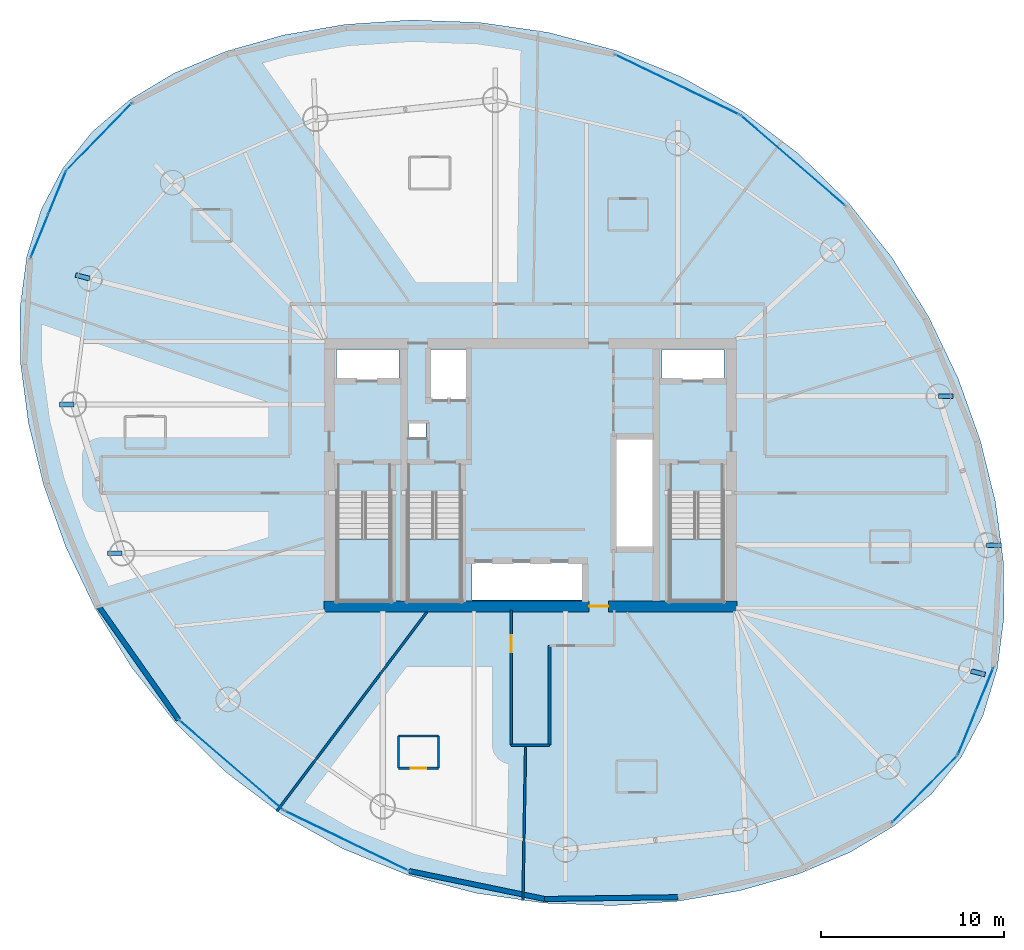
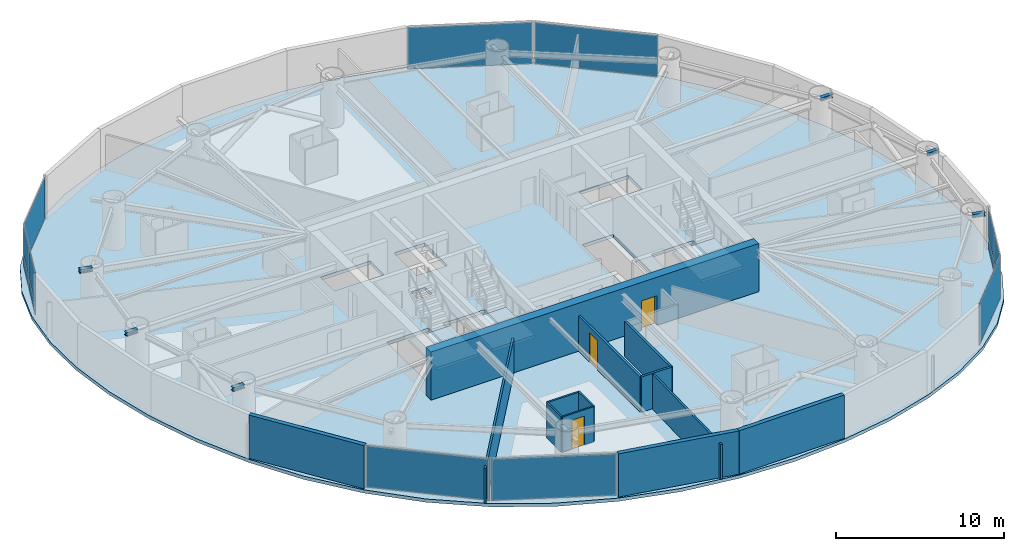
# One storey, part 15 of 21: 14 plates, 13 walls, 6 beams, 4 slabs, 3 doors, 3 openings, 11 elements without a shape of their own.
"""IFC4 building model written with IfcOpenShell, lengths in metres."""

from ifc_helpers import new_model, si_unit, direction, frame, frame_2d, origin, origin_2d, place, context, subcontext, project, spatial, polyline, rectangle, i_section, outline, extrude, material, layer, layer_set, material_profile, profile_set, type_object, element, fill, aggregate, save


model = new_model("IFC4")

# Units and contexts
model_context = context("Model", 3, precision=1e-05, world=origin(), true_north=direction((0.0, 1.0)))
body_context = subcontext(model_context, "Body", "Model", "MODEL_VIEW")
ifc_project = project(units=[si_unit("LENGTHUNIT", "METRE"), si_unit("AREAUNIT", "SQUARE_METRE"), si_unit("VOLUMEUNIT", "CUBIC_METRE"), si_unit("PLANEANGLEUNIT", "RADIAN"), si_unit("MASSUNIT", "GRAM", prefix="KILO")], contexts=[model_context])

# Site, building, storey
site_placement = place(None, origin())
site = spatial("IfcSite", under=ifc_project, at=site_placement, CompositionType="ELEMENT")
building_placement = place(site_placement, origin())
building = spatial("IfcBuilding", under=site, at=building_placement, Name="Bramvorn Convention Spire", CompositionType="ELEMENT")
storey_placement = place(building_placement, frame((0.0, 0.0, 162.300048828125)))
storey = spatial("IfcBuildingStorey", under=building, at=storey_placement, Name="L41", CompositionType="ELEMENT", Elevation=162.300048828125)

# Beams
ifc_material_1 = material(Name="Steel CSA G40.21 Grade 350 (350W)", Category="steel")
ifc_material_profile = material_profile(ifc_material_1, i_section(OverallWidth=0.25390625, OverallDepth=0.2529296875, WebThickness=0.008544921875, FlangeThickness=0.01416015625, FilletRadius=0.011962890625, at=origin_2d()))
ifc_profile_set = profile_set([ifc_material_profile], Name="Steel CSA G40.21 Grade 350 (350W) - W250X73")
beam_type = type_object("IfcBeamType", Name="BM-W250X73", PredefinedType="BEAM", material=ifc_profile_set)
beam_1_placement = place(storey_placement, frame((62.11767578125, 15.26220703125, 3.0234375), z_axis=(0.968872548722, -0.247560062071, 0.0), x_axis=(0.247560062071, 0.968872548722, 0.0)))
element("IfcBeam", 1, at=beam_1_placement, inside=storey, type_object=beam_type, Name="L41 slab-edge cantilever tip beam MC01", PredefinedType="BEAM", context=body_context, shape_type="SweptSolid", body=[
    extrude(i_section(OverallWidth=0.25390625, OverallDepth=0.2529296875, WebThickness=0.008544921875, FlangeThickness=0.01416015625, FilletRadius=0.011962890625, at=origin_2d()), origin(), (0.0, 0.0, 1.0), 0.7998046875),
])
for number, where, z_axis, x_axis, name in (
    (2, (62.983642578125, 22.148193359375, 3.0234375), (1.0, 0.0, 0.0), (0.0, 1.0, 0.0), "L41 slab-edge cantilever tip beam MC02"),
    (3, (60.345703125, 30.293212890625, 3.0234375), (1.0, 0.0, 0.0), (0.0, 1.0, 0.0), "L41 slab-edge cantilever tip beam MC03"),
):
    element("IfcBeam", number, at=place(storey_placement, frame(where, z_axis=z_axis, x_axis=x_axis)), inside=storey, type_object=beam_type, Name=name, PredefinedType="BEAM", context=body_context, shape_type="SweptSolid", body=[
        extrude(i_section(OverallWidth=0.25390625, OverallDepth=0.2529296875, WebThickness=0.008544921875, FlangeThickness=0.01416015625, FilletRadius=0.011962890625, at=origin_2d()), origin(), (0.0, 0.0, 1.0), 0.800048828125),
    ])
beam_2_placement = place(storey_placement, frame((13.88232421875, 36.73779296875, 3.0234375), z_axis=(-0.968872548722, 0.247560062071, 0.0), x_axis=(-0.247560062071, -0.968872548722, 0.0)))
element("IfcBeam", 4, at=beam_2_placement, inside=storey, type_object=beam_type, Name="L41 slab-edge cantilever tip beam MC09", PredefinedType="BEAM", context=body_context, shape_type="SweptSolid", body=[
    extrude(i_section(OverallWidth=0.25390625, OverallDepth=0.2529296875, WebThickness=0.008544921875, FlangeThickness=0.01416015625, FilletRadius=0.011962890625, at=origin_2d()), origin(), (0.0, 0.0, 1.0), 0.7998046875),
])
for number, where, z_axis, x_axis, name in (
    (5, (13.016357421875, 29.851806640625, 3.0234375), (-1.0, 0.0, 0.0), (0.0, -1.0, 0.0), "L41 slab-edge cantilever tip beam MC10"),
    (6, (15.654296875, 21.706787109375, 3.0234375), (-1.0, 0.0, 0.0), (0.0, -1.0, 0.0), "L41 slab-edge cantilever tip beam MC11"),
):
    element("IfcBeam", number, at=place(storey_placement, frame(where, z_axis=z_axis, x_axis=x_axis)), inside=storey, type_object=beam_type, Name=name, PredefinedType="BEAM", context=body_context, shape_type="SweptSolid", body=[
        extrude(i_section(OverallWidth=0.25390625, OverallDepth=0.2529296875, WebThickness=0.008544921875, FlangeThickness=0.01416015625, FilletRadius=0.011962890625, at=origin_2d()), origin(), (0.0, 0.0, 1.0), 0.800048828125),
    ])

# Curtain wall, plates
ifc_material_2 = material(Name="Anodised Bronze Unitised Curtain Wall", Category="aluminium")
ifc_layer_1 = layer(ifc_material_2, 0.179931640625)
ifc_layer_set_1 = layer_set([ifc_layer_1], Name="Anodised Bronze Unitised Curtain Wall - CW-HTL-FRIT")
curtain_wall_type = type_object("IfcCurtainWallType", Name="CW-HTL-FRIT", PredefinedType="USERDEFINED", material=ifc_layer_set_1)
curtain_wall_1_placement = place(storey_placement, origin())
curtain_wall_1 = element("IfcCurtainWall", 7, at=curtain_wall_1_placement, inside=storey, type_object=curtain_wall_type, Name="L41 fritted glass curtain wall 01", ObjectType="UNITISED CURTAIN WALL", PredefinedType="USERDEFINED")
ifc_material_3 = material(Name="Laminated Low-E Glass (Triple IGU Tapered Ceramic Frit 40%)", Category="glass")
ifc_layer_2 = layer(ifc_material_3, 0.0380859375)
ifc_layer_set_2 = layer_set([ifc_layer_2], Name="Laminated Low-E Glass (Triple IGU Tapered Ceramic Frit 40%) - PNL-IGU-2")
plate_type = type_object("IfcPlateType", Name="PNL-IGU-2", PredefinedType="CURTAIN_PANEL", material=ifc_layer_set_2)
plate_1_placement = place(storey_placement, frame((62.858154296875, 14.23876953125, 0.059814453125), z_axis=(0.0, 0.0, 1.0), x_axis=(-0.377384058493, -0.926056840802, 0.0)))
plate_1 = element("IfcPlate", 8, at=plate_1_placement, type_object=plate_type, Name="CW2 panel 1.1", PredefinedType="CURTAIN_PANEL", context=body_context, shape_type="SweptSolid", body=[
    extrude(rectangle(XDim=2.4970703125, YDim=0.028076171875, at=origin_2d()), origin(), (0.0, 0.0, 1.0), 0.81005859375),
])
plate_2_placement = place(storey_placement, frame((62.858154296875, 14.23876953125, 0.93017578125), z_axis=(0.0, 0.0, 1.0), x_axis=(-0.377384058493, -0.926056840802, 0.0)))
plate_2 = element("IfcPlate", 9, at=plate_2_placement, type_object=plate_type, Name="CW2 panel 1.2", PredefinedType="CURTAIN_PANEL", context=body_context, shape_type="SweptSolid", body=[
    extrude(rectangle(XDim=2.4970703125, YDim=0.028076171875, at=origin_2d()), origin(), (0.0, 0.0, 1.0), 2.159912109375),
])
plate_3_placement = place(storey_placement, frame((61.89306640625, 11.87060546875, 0.059814453125), z_axis=(0.0, 0.0, 1.0), x_axis=(-0.377384058493, -0.926056840802, 0.0)))
plate_3 = element("IfcPlate", 10, at=plate_3_placement, type_object=plate_type, Name="CW2 panel 2.1", PredefinedType="CURTAIN_PANEL", context=body_context, shape_type="SweptSolid", body=[
    extrude(rectangle(XDim=2.4970703125, YDim=0.028076171875, at=origin_2d()), origin(), (0.0, 0.0, 1.0), 0.81005859375),
])
plate_4_placement = place(storey_placement, frame((61.89306640625, 11.87060546875, 0.93017578125), z_axis=(0.0, 0.0, 1.0), x_axis=(-0.377384058493, -0.926056840802, 0.0)))
plate_4 = element("IfcPlate", 11, at=plate_4_placement, type_object=plate_type, Name="CW2 panel 2.2", PredefinedType="CURTAIN_PANEL", context=body_context, shape_type="SweptSolid", body=[
    extrude(rectangle(XDim=2.4970703125, YDim=0.028076171875, at=origin_2d()), origin(), (0.0, 0.0, 1.0), 2.159912109375),
])
aggregate(curtain_wall_1, [plate_1, plate_2, plate_3, plate_4])

# Curtain wall, plate
curtain_wall_2_placement = place(storey_placement, origin())
curtain_wall_2 = element("IfcCurtainWall", 12, at=curtain_wall_2_placement, inside=storey, type_object=curtain_wall_type, Name="L41 fritted glass curtain wall 06", ObjectType="UNITISED CURTAIN WALL", PredefinedType="USERDEFINED")
plate_5_placement = place(storey_placement, frame((52.364501953125, 43.211181640625, 0.06005859375), z_axis=(0.0, 0.0, 1.0), x_axis=(0.757586119148, -0.652735223559, 0.0)))
plate_5 = element("IfcPlate", 13, at=plate_5_placement, type_object=plate_type, Name="CW2 panel 1.1", PredefinedType="CURTAIN_PANEL", context=body_context, shape_type="SweptSolid", body=[
    extrude(rectangle(XDim=7.49755859375, YDim=0.028076171875, at=origin_2d()), origin(), (0.0, 0.0, 1.0), 3.030029296875),
])
aggregate(curtain_wall_2, [plate_5])

curtain_wall_3_placement = place(storey_placement, origin())
curtain_wall_3 = element("IfcCurtainWall", 14, at=curtain_wall_3_placement, inside=storey, type_object=curtain_wall_type, Name="L41 fritted glass curtain wall 07", ObjectType="UNITISED CURTAIN WALL", PredefinedType="USERDEFINED")
plate_6_placement = place(storey_placement, frame((46.048583984375, 47.35205078125, 0.06005859375), z_axis=(0.0, 0.0, 1.0), x_axis=(0.900683100724, -0.434476641571, 0.0)))
plate_6 = element("IfcPlate", 15, at=plate_6_placement, type_object=plate_type, Name="CW2 panel 1.1", PredefinedType="CURTAIN_PANEL", context=body_context, shape_type="SweptSolid", body=[
    extrude(rectangle(XDim=7.49755859375, YDim=0.028076171875, at=origin_2d()), origin(), (0.0, 0.0, 1.0), 3.030029296875),
])
aggregate(curtain_wall_3, [plate_6])

curtain_wall_4_placement = place(storey_placement, origin())
curtain_wall_4 = element("IfcCurtainWall", 16, at=curtain_wall_4_placement, inside=storey, type_object=curtain_wall_type, Name="L41 fritted glass curtain wall 12", ObjectType="UNITISED CURTAIN WALL", PredefinedType="USERDEFINED")
plate_7_placement = place(storey_placement, frame((14.4013671875, 44.5078125, 0.06005859375), z_axis=(0.0, 0.0, 1.0), x_axis=(0.698767354166, 0.715348995073, 0.0)))
plate_7 = element("IfcPlate", 17, at=plate_7_placement, type_object=plate_type, Name="CW2 panel 1.1", PredefinedType="CURTAIN_PANEL", context=body_context, shape_type="SweptSolid", body=[
    extrude(rectangle(XDim=5.054443359375, YDim=0.028076171875, at=origin_2d()), origin(), (0.0, 0.0, 1.0), 3.030029296875),
])
aggregate(curtain_wall_4, [plate_7])

# Curtain wall, plates
curtain_wall_5_placement = place(storey_placement, origin())
curtain_wall_5 = element("IfcCurtainWall", 18, at=curtain_wall_5_placement, inside=storey, type_object=curtain_wall_type, Name="L41 fritted glass curtain wall 13", ObjectType="UNITISED CURTAIN WALL", PredefinedType="USERDEFINED")
plate_8_placement = place(storey_placement, frame((11.134765625, 39.0771484375, 0.059814453125), z_axis=(0.0, 0.0, 1.0), x_axis=(0.377384058493, 0.926056840802, 0.0)))
plate_8 = element("IfcPlate", 19, at=plate_8_placement, type_object=plate_type, Name="CW2 panel 1.1", PredefinedType="CURTAIN_PANEL", context=body_context, shape_type="SweptSolid", body=[
    extrude(rectangle(XDim=2.4970703125, YDim=0.028076171875, at=origin_2d()), origin(), (0.0, 0.0, 1.0), 0.81005859375),
])
plate_9_placement = place(storey_placement, frame((11.134765625, 39.0771484375, 0.93017578125), z_axis=(0.0, 0.0, 1.0), x_axis=(0.377384058493, 0.926056840802, 0.0)))
plate_9 = element("IfcPlate", 20, at=plate_9_placement, type_object=plate_type, Name="CW2 panel 1.2", PredefinedType="CURTAIN_PANEL", context=body_context, shape_type="SweptSolid", body=[
    extrude(rectangle(XDim=2.4970703125, YDim=0.028076171875, at=origin_2d()), origin(), (0.0, 0.0, 1.0), 2.159912109375),
])
plate_10_placement = place(storey_placement, frame((12.099853515625, 41.4453125, 0.059814453125), z_axis=(0.0, 0.0, 1.0), x_axis=(0.377384058493, 0.926056840802, 0.0)))
plate_10 = element("IfcPlate", 21, at=plate_10_placement, type_object=plate_type, Name="CW2 panel 2.1", PredefinedType="CURTAIN_PANEL", context=body_context, shape_type="SweptSolid", body=[
    extrude(rectangle(XDim=2.4970703125, YDim=0.028076171875, at=origin_2d()), origin(), (0.0, 0.0, 1.0), 0.81005859375),
])
plate_11_placement = place(storey_placement, frame((12.099853515625, 41.4453125, 0.93017578125), z_axis=(0.0, 0.0, 1.0), x_axis=(0.377384058493, 0.926056840802, 0.0)))
plate_11 = element("IfcPlate", 22, at=plate_11_placement, type_object=plate_type, Name="CW2 panel 2.2", PredefinedType="CURTAIN_PANEL", context=body_context, shape_type="SweptSolid", body=[
    extrude(rectangle(XDim=2.4970703125, YDim=0.028076171875, at=origin_2d()), origin(), (0.0, 0.0, 1.0), 2.159912109375),
])
aggregate(curtain_wall_5, [plate_8, plate_9, plate_10, plate_11])

# Curtain wall, plate
curtain_wall_6_placement = place(storey_placement, origin())
curtain_wall_6 = element("IfcCurtainWall", 23, at=curtain_wall_6_placement, inside=storey, type_object=curtain_wall_type, Name="L41 fritted glass curtain wall 18", ObjectType="UNITISED CURTAIN WALL", PredefinedType="USERDEFINED")
plate_12_placement = place(storey_placement, frame((21.62841796875, 10.104736328125, 0.06005859375), z_axis=(0.0, 0.0, 1.0), x_axis=(-0.757586119148, 0.652735223559, 0.0)))
plate_12 = element("IfcPlate", 24, at=plate_12_placement, type_object=plate_type, Name="CW2 panel 1.1", PredefinedType="CURTAIN_PANEL", context=body_context, shape_type="SweptSolid", body=[
    extrude(rectangle(XDim=7.49755859375, YDim=0.028076171875, at=origin_2d()), origin(), (0.0, 0.0, 1.0), 3.030029296875),
])
aggregate(curtain_wall_6, [plate_12])

curtain_wall_7_placement = place(storey_placement, origin())
curtain_wall_7 = element("IfcCurtainWall", 25, at=curtain_wall_7_placement, inside=storey, type_object=curtain_wall_type, Name="L41 fritted glass curtain wall 19", ObjectType="UNITISED CURTAIN WALL", PredefinedType="USERDEFINED")
plate_13_placement = place(storey_placement, frame((27.9443359375, 5.9638671875, 0.06005859375), z_axis=(0.0, 0.0, 1.0), x_axis=(-0.900683100724, 0.434476641571, 0.0)))
plate_13 = element("IfcPlate", 26, at=plate_13_placement, type_object=plate_type, Name="CW2 panel 1.1", PredefinedType="CURTAIN_PANEL", context=body_context, shape_type="SweptSolid", body=[
    extrude(rectangle(XDim=7.49755859375, YDim=0.028076171875, at=origin_2d()), origin(), (0.0, 0.0, 1.0), 3.030029296875),
])
aggregate(curtain_wall_7, [plate_13])

curtain_wall_8_placement = place(storey_placement, origin())
curtain_wall_8 = element("IfcCurtainWall", 27, at=curtain_wall_8_placement, inside=storey, type_object=curtain_wall_type, Name="L41 fritted glass curtain wall 24", ObjectType="UNITISED CURTAIN WALL", PredefinedType="USERDEFINED")
plate_14_placement = place(storey_placement, frame((59.591552734375, 8.80810546875, 0.06005859375), z_axis=(0.0, 0.0, 1.0), x_axis=(-0.698767354166, -0.715348995073, 0.0)))
plate_14 = element("IfcPlate", 28, at=plate_14_placement, type_object=plate_type, Name="CW2 panel 1.1", PredefinedType="CURTAIN_PANEL", context=body_context, shape_type="SweptSolid", body=[
    extrude(rectangle(XDim=5.054443359375, YDim=0.028076171875, at=origin_2d()), origin(), (0.0, 0.0, 1.0), 3.030029296875),
])
aggregate(curtain_wall_8, [plate_14])

# Stair, slab
ifc_material_4 = material(Name="Concrete C40/50 Precast Stair", Category="concrete")
stair_type = type_object("IfcStairType", Name="ST-TOWER-1550", PredefinedType="HALF_TURN_STAIR", material=ifc_material_4)
stair_1_placement = place(storey_placement, origin())
stair_1 = element("IfcStair", 29, at=stair_1_placement, inside=storey, type_object=stair_type, Name="L41 Protected Exit Stair ST1", PredefinedType="HALF_TURN_STAIR")
ifc_material_5 = material(Name="Concrete C40/50 Stair Landing", Category="concrete")
ifc_layer_3 = layer(ifc_material_5, 0.219970703125)
ifc_layer_set_3 = layer_set([ifc_layer_3], Name="Concrete C40/50 Stair Landing - SLB-STAIR-LANDING")
slab_type_1 = type_object("IfcSlabType", Name="SLB-STAIR-LANDING", PredefinedType="LANDING", material=ifc_layer_set_3)
slab_1_placement = place(storey_placement, frame((0.0, 0.0, 1.550048828125)))
slab_1 = element("IfcSlab", 30, at=slab_1_placement, type_object=slab_type_1, Name="ST1 landing 1", PredefinedType="LANDING", context=body_context, shape_type="SweptSolid", body=[
    extrude(outline(polyline([(27.449951171875, 22.485107421875), (27.449951171875, 19.10009765625), (30.35009765625, 19.10009765625), (30.35009765625, 22.485107421875), (27.449951171875, 22.485107421875)])), origin(), (0.0, 0.0, 1.0), 0.199951171875),
])
aggregate(stair_1, [slab_1])

stair_2_placement = place(storey_placement, origin())
stair_2 = element("IfcStair", 31, at=stair_2_placement, inside=storey, type_object=stair_type, Name="L41 Protected Exit Stair ST2", PredefinedType="HALF_TURN_STAIR")
slab_2_placement = place(storey_placement, frame((0.0, 0.0, 1.550048828125)))
slab_2 = element("IfcSlab", 32, at=slab_2_placement, type_object=slab_type_1, Name="ST2 landing 1", PredefinedType="LANDING", context=body_context, shape_type="SweptSolid", body=[
    extrude(outline(polyline([(45.64990234375, 22.485107421875), (45.64990234375, 19.10009765625), (48.550048828125, 19.10009765625), (48.550048828125, 22.485107421875), (45.64990234375, 22.485107421875)])), origin(), (0.0, 0.0, 1.0), 0.199951171875),
])
aggregate(stair_2, [slab_2])

stair_3_placement = place(storey_placement, origin())
stair_3 = element("IfcStair", 33, at=stair_3_placement, inside=storey, type_object=stair_type, Name="L41 Protected Exit Stair ST3", PredefinedType="HALF_TURN_STAIR")
slab_3_placement = place(storey_placement, frame((0.0, 0.0, 1.550048828125)))
slab_3 = element("IfcSlab", 34, at=slab_3_placement, type_object=slab_type_1, Name="ST3 landing 1", PredefinedType="LANDING", context=body_context, shape_type="SweptSolid", body=[
    extrude(outline(polyline([(31.300048828125, 22.485107421875), (31.300048828125, 19.10009765625), (34.199951171875, 19.10009765625), (34.199951171875, 22.485107421875), (31.300048828125, 22.485107421875)])), origin(), (0.0, 0.0, 1.0), 0.199951171875),
])
aggregate(stair_3, [slab_3])

# Slab
ifc_material_6 = material(Name="Concrete C50/60", Category="concrete")
ifc_layer_4 = layer(ifc_material_6, 0.239990234375)
ifc_layer_set_4 = layer_set([ifc_layer_4], Name="Concrete C50/60 - SLB-Z2-240")
slab_type_2 = type_object("IfcSlabType", Name="SLB-Z2-240", PredefinedType="FLOOR", material=ifc_layer_set_4)
slab_4_placement = place(storey_placement, frame((0.0, 0.0, -0.239990234375)))
element("IfcSlab", 35, at=slab_4_placement, inside=storey, type_object=slab_type_2, Name="L41 tower floor slab", PredefinedType="FLOOR", context=body_context, shape_type="SweptSolid", body=[
    extrude(outline(polyline([(61.583251953125, 10.5380859375), (62.779541015625, 12.8212890625), (63.55859375, 15.37841796875), (63.927978515625, 18.1962890625), (63.89501953125, 21.248046875), (63.46484375, 24.488525390625), (62.639892578125, 27.85498046875), (61.421142578125, 31.269287109375), (59.808349609375, 34.6416015625), (57.805419921875, 37.877197265625), (55.422119140625, 40.8837890625), (52.67919921875, 43.5791015625), (49.609375, 45.89599609375), (46.2607421875, 47.787109375), (42.6953125, 49.22802734375), (38.987548828125, 50.214599609375), (35.2216796875, 50.76123046875), (31.486083984375, 50.8955078125), (27.868896484375, 50.652099609375), (24.45263671875, 50.06591796875), (21.309326171875, 49.168212890625), (18.49755859375, 47.981689453125), (16.060791015625, 46.519287109375), (14.026611328125, 44.78515625), (12.40966796875, 42.77783203125), (11.21337890625, 40.494384765625), (10.43408203125, 37.9375), (10.064697265625, 35.11962890625), (10.097900390625, 32.06787109375), (10.528076171875, 28.827392578125), (11.352783203125, 25.460693359375), (12.57177734375, 22.04638671875), (14.1845703125, 18.67431640625), (16.1875, 15.438720703125), (18.57080078125, 12.43212890625), (21.313720703125, 9.73681640625), (24.383544921875, 7.419921875), (27.732177734375, 5.52880859375), (31.297607421875, 4.087890625), (35.00537109375, 3.101318359375), (38.771240234375, 2.5546875), (42.5068359375, 2.42041015625), (46.123779296875, 2.663818359375), (49.540283203125, 3.25), (52.68359375, 4.147705078125), (55.495361328125, 5.333984375), (57.932373046875, 6.79638671875), (59.96630859375, 8.53076171875), (61.583251953125, 10.5380859375)]), holes=[polyline([(27.449951171875, 25.050048828125), (27.449951171875, 19.10009765625), (30.35009765625, 19.10009765625), (30.35009765625, 25.050048828125), (27.449951171875, 25.050048828125)]), polyline([(45.64990234375, 25.050048828125), (45.64990234375, 19.10009765625), (48.550048828125, 19.10009765625), (48.550048828125, 25.050048828125), (45.64990234375, 25.050048828125)]), polyline([(31.300048828125, 25.050048828125), (31.300048828125, 19.10009765625), (34.199951171875, 19.10009765625), (34.199951171875, 25.050048828125), (31.300048828125, 25.050048828125)]), polyline([(27.39990234375, 31.219970703125), (30.800048828125, 31.219970703125), (30.800048828125, 32.85009765625), (27.39990234375, 32.85009765625), (27.39990234375, 31.219970703125)]), polyline([(45.199951171875, 31.219970703125), (48.60009765625, 31.219970703125), (48.60009765625, 32.85009765625), (45.199951171875, 32.85009765625), (45.199951171875, 31.219970703125)]), polyline([(32.449951171875, 30.14990234375), (34.56005859375, 30.14990234375), (34.56005859375, 32.85009765625), (32.449951171875, 32.85009765625), (32.449951171875, 30.14990234375)]), polyline([(34.800048828125, 19.14990234375), (40.97998046875, 19.14990234375), (40.97998046875, 21.199951171875), (34.800048828125, 21.199951171875), (34.800048828125, 19.14990234375)]), polyline([(42.6201171875, 22.0), (44.75, 22.0), (44.75, 28.0), (42.6201171875, 28.0), (42.6201171875, 22.0)]), polyline([(31.320068359375, 28.02001953125), (32.280029296875, 28.02001953125), (32.280029296875, 28.820068359375), (31.320068359375, 28.820068359375), (31.320068359375, 28.02001953125)])]), origin(), (0.0, 0.0, 1.0), 0.239990234375),
])

# Wall, opening, door
ifc_material_7 = material(Name="Concrete C60/70", Category="concrete")
ifc_layer_5 = layer(ifc_material_7, 0.60009765625)
ifc_layer_set_5 = layer_set([ifc_layer_5], Name="Concrete C60/70 - WL-CORE-600")
wall_type_1 = type_object("IfcWallType", Name="WL-CORE-600", PredefinedType="SHEAR", material=ifc_layer_set_5)
wall_1_placement = place(storey_placement, frame((26.699951171875, 18.800048828125, 0.0), z_axis=(0.0, 0.0, 1.0), x_axis=(1.0, 0.0, 0.0)))
wall_1 = element("IfcWall", 36, at=wall_1_placement, inside=storey, type_object=wall_type_1, Name="L41 South RC core shear wall", PredefinedType="SHEAR", context=body_context, shape_type="SweptSolid", body=[
    extrude(rectangle(XDim=22.60009765625, YDim=0.60009765625, at=frame_2d((11.300048828125, 0.0))), origin(), (0.0, 0.0, 1.0), 3.5),
])
opening_1_placement = place(wall_1_placement, frame((14.52001953125, 0.0, 0.0)))
opening_1 = element("IfcOpeningElement", 37, at=opening_1_placement, cuts=wall_1, Name="Opening DL-105", PredefinedType="OPENING", context=body_context, shape_type="SweptSolid", body=[
    extrude(rectangle(XDim=1.050048828125, YDim=2.14990234375, at=frame_2d((0.52490234375, 1.074951171875))), frame((0.0, 0.31005859375, 0.0), z_axis=(0.0, -1.0, 0.0), x_axis=(1.0, 0.0, 0.0)), (0.0, 0.0, 1.0), 0.6201171875),
])
ifc_material_8 = material(Name="Smoke-Sealed Fire Lobby Timber-Core Door", Category="wood")
door_type_1 = type_object("IfcDoorType", Name="DR-LOBBY-1050", OperationType="NOTDEFINED", PredefinedType="DOOR", material=ifc_material_8)
door_1_placement = place(opening_1_placement, origin())
door_1 = element("IfcDoor", 38, at=door_1_placement, inside=storey, type_object=door_type_1, Name="L41 South Lift Lobby fire door", OperationType="SINGLE_SWING_RIGHT", OverallHeight=2.14990234375, OverallWidth=1.050048828125, PredefinedType="DOOR", context=body_context, shape_type="SweptSolid", body=[
    extrude(rectangle(XDim=1.050048828125, YDim=2.14990234375, at=frame_2d((0.52490234375, 1.074951171875))), frame((0.0, 0.02490234375, 0.0), z_axis=(0.0, -1.0, 0.0), x_axis=(1.0, 0.0, 0.0)), (0.0, 0.0, 1.0), 0.050048828125),
])
fill(opening_1, door_1)

# Walls
ifc_material_9 = material(Name="Precast Concrete C40/50 with Bronze Terracotta Rainscreen", Category="masonry")
ifc_layer_6 = layer(ifc_material_9, 0.300048828125)
ifc_layer_set_6 = layer_set([ifc_layer_6], Name="Precast Concrete C40/50 with Bronze Terracotta Rainscreen - WL-EXT-BRONZE-300")
wall_type_2 = type_object("IfcWallType", Name="WL-EXT-BRONZE-300", PredefinedType="SOLIDWALL", material=ifc_layer_set_6)
wall_2_placement = place(storey_placement, frame((18.742919921875, 12.5908203125, 0.0), z_axis=(0.0, 0.0, 1.0), x_axis=(-0.575733066799, 0.817637716715, 0.0)))
element("IfcWall", 39, at=wall_2_placement, inside=storey, type_object=wall_type_2, Name="L41 expressed bronze Gothic lancet pier wall 17", PredefinedType="SOLIDWALL", context=body_context, shape_type="SweptSolid", body=[
    extrude(rectangle(XDim=7.5693359375, YDim=0.280029296875, at=frame_2d((3.78466796875, 0.0))), origin(), (0.0, 0.0, 1.0), 3.14990234375),
])
wall_3_placement = place(storey_placement, frame((38.787841796875, 2.780517578125, 0.0), z_axis=(0.0, 0.0, 1.0), x_axis=(-0.979395914259, 0.201949605427, 0.0)))
element("IfcWall", 40, at=wall_3_placement, inside=storey, type_object=wall_type_2, Name="L41 expressed bronze Gothic lancet pier wall 20", PredefinedType="SOLIDWALL", context=body_context, shape_type="SweptSolid", body=[
    extrude(rectangle(XDim=7.569091796875, YDim=0.280029296875, at=frame_2d((3.78466796875, 0.0))), origin(), (0.0, 0.0, 1.0), 3.14990234375),
])
wall_4_placement = place(storey_placement, frame((46.0791015625, 2.87939453125, 0.0), z_axis=(0.0, 0.0, 1.0), x_axis=(-0.999908061986, -0.013559777837, 0.0)))
element("IfcWall", 41, at=wall_4_placement, inside=storey, type_object=wall_type_2, Name="L41 expressed bronze Gothic lancet pier wall 21", PredefinedType="SOLIDWALL", context=body_context, shape_type="SweptSolid", body=[
    extrude(rectangle(XDim=7.2919921875, YDim=0.280029296875, at=frame_2d((3.64599609375, 0.0))), origin(), (0.0, 0.0, 1.0), 3.14990234375),
])

# Wall, opening, door
ifc_material_10 = material(Name="Lightweight En-Suite & Wet-Wall Partition", Category="gypsum")
ifc_layer_7 = layer(ifc_material_10, 0.110107421875)
ifc_layer_set_7 = layer_set([ifc_layer_7], Name="Lightweight En-Suite & Wet-Wall Partition - WL-PART-110")
wall_type_3 = type_object("IfcWallType", Name="WL-PART-110", PredefinedType="PARTITIONING", material=ifc_layer_set_7)
wall_5_placement = place(storey_placement, frame((30.77490234375, 9.937255859375, 0.0), z_axis=(0.0, 0.0, 1.0), x_axis=(1.0, 0.0, 0.0)))
wall_5 = element("IfcWall", 42, at=wall_5_placement, inside=storey, type_object=wall_type_3, Name="Hotel Suite 4107 en-suite south wall", PredefinedType="PARTITIONING", context=body_context, shape_type="SweptSolid", body=[
    extrude(rectangle(XDim=2.199951171875, YDim=0.110107421875, at=frame_2d((1.10009765625, 0.0))), origin(), (0.0, 0.0, 1.0), 2.56494140625),
])
opening_2_placement = place(wall_5_placement, frame((0.679931640625, 0.0, 0.0)))
opening_2 = element("IfcOpeningElement", 43, at=opening_2_placement, cuts=wall_5, Name="Opening DI-085", PredefinedType="OPENING", context=body_context, shape_type="SweptSolid", body=[
    extrude(rectangle(XDim=0.85009765625, YDim=2.10009765625, at=frame_2d((0.425048828125, 1.050048828125))), frame((0.0, 0.06494140625, 0.0), z_axis=(0.0, -1.0, 0.0), x_axis=(1.0, 0.0, 0.0)), (0.0, 0.0, 1.0), 0.130126953125),
])
ifc_material_11 = material(Name="En-Suite & Restroom Privacy Door", Category="wood")
door_type_2 = type_object("IfcDoorType", Name="DR-INT-850", OperationType="NOTDEFINED", PredefinedType="DOOR", material=ifc_material_11)
door_2_placement = place(opening_2_placement, origin())
door_2 = element("IfcDoor", 44, at=door_2_placement, inside=storey, type_object=door_type_2, Name="Hotel Suite 4107 En-Suite Bathroom door", OperationType="SINGLE_SWING_LEFT", OverallHeight=2.10009765625, OverallWidth=0.85009765625, PredefinedType="DOOR", context=body_context, shape_type="SweptSolid", body=[
    extrude(rectangle(XDim=0.85009765625, YDim=2.10009765625, at=frame_2d((0.425048828125, 1.050048828125))), frame((0.0, 0.02490234375, 0.0), z_axis=(0.0, -1.0, 0.0), x_axis=(1.0, 0.0, 0.0)), (0.0, 0.0, 1.0), 0.050048828125),
])
fill(opening_2, door_2)

# Walls
wall_6_placement = place(storey_placement, frame((30.77490234375, 11.697265625, 0.0), z_axis=(0.0, 0.0, 1.0), x_axis=(1.0, 0.0, 0.0)))
element("IfcWall", 45, at=wall_6_placement, inside=storey, type_object=wall_type_3, Name="Hotel Suite 4107 en-suite north wall", PredefinedType="PARTITIONING", context=body_context, shape_type="SweptSolid", body=[
    extrude(rectangle(XDim=2.199951171875, YDim=0.110107421875, at=frame_2d((1.10009765625, 0.0))), origin(), (0.0, 0.0, 1.0), 2.56494140625),
])
for number, where, z_axis, x_axis, name in (
    (46, (30.77490234375, 9.937255859375, 0.0), (0.0, 0.0, 1.0), (0.0, 1.0, 0.0), "Hotel Suite 4107 en-suite west wall"),
    (47, (32.974853515625, 9.937255859375, 0.0), (0.0, 0.0, 1.0), (0.0, 1.0, 0.0), "Hotel Suite 4107 en-suite east wall"),
):
    element("IfcWall", number, at=place(storey_placement, frame(where, z_axis=z_axis, x_axis=x_axis)), inside=storey, type_object=wall_type_3, Name=name, PredefinedType="PARTITIONING", context=body_context, shape_type="SweptSolid", body=[
        extrude(rectangle(XDim=1.760009765625, YDim=0.110107421875, at=frame_2d((0.8798828125, 0.0))), origin(), (0.0, 0.0, 1.0), 2.56494140625),
    ])
ifc_material_12 = material(Name="Metal-Stud Demountable Office Partition", Category="gypsum")
ifc_layer_8 = layer(ifc_material_12, 0.1298828125)
ifc_layer_set_8 = layer_set([ifc_layer_8], Name="Metal-Stud Demountable Office Partition - WL-PART-130")
wall_type_4 = type_object("IfcWallType", Name="WL-PART-130", PredefinedType="PARTITIONING", material=ifc_layer_set_8)
wall_7_placement = place(storey_placement, frame((32.333251953125, 18.47998046875, 0.0), z_axis=(0.0, 0.0, 1.0), x_axis=(-0.601812874522, -0.798637129151, 0.0)))
element("IfcWall", 48, at=wall_7_placement, inside=storey, type_object=wall_type_4, Name="L41 Guestroom demising wall 7", PredefinedType="PARTITIONING", context=body_context, shape_type="SweptSolid", body=[
    extrude(rectangle(XDim=13.6494140625, YDim=0.1298828125, at=frame_2d((6.82470703125, 0.0))), origin(), (0.0, 0.0, 1.0), 2.56494140625),
])
wall_8_placement = place(storey_placement, frame((37.7392578125, 11.06005859375, 0.0), z_axis=(0.0, 0.0, 1.0), x_axis=(-0.017448535387, -0.999847762718, 0.0)))
element("IfcWall", 49, at=wall_8_placement, inside=storey, type_object=wall_type_4, Name="L41 Guestroom demising wall 8", PredefinedType="PARTITIONING", context=body_context, shape_type="SweptSolid", body=[
    extrude(rectangle(XDim=8.3671875, YDim=0.1298828125, at=frame_2d((4.18359375, 0.0))), origin(), (0.0, 0.0, 1.0), 2.56494140625),
])

# Wall, opening, door
ifc_material_13 = material(Name="Acoustic Metal-Stud Tenant/Corridor Partition", Category="gypsum")
ifc_layer_9 = layer(ifc_material_13, 0.14990234375)
ifc_layer_set_9 = layer_set([ifc_layer_9], Name="Acoustic Metal-Stud Tenant/Corridor Partition - WL-PART-150")
wall_type_5 = type_object("IfcWallType", Name="WL-PART-150", PredefinedType="PARTITIONING", material=ifc_layer_set_9)
wall_9_placement = place(storey_placement, frame((36.949951171875, 11.199951171875, 0.0), z_axis=(0.0, 0.0, 1.0), x_axis=(0.0, 1.0, 0.0)))
wall_9 = element("IfcWall", 50, at=wall_9_placement, inside=storey, type_object=wall_type_5, Name="L41 South axial spine west wall", PredefinedType="PARTITIONING", context=body_context, shape_type="SweptSolid", body=[
    extrude(rectangle(XDim=7.400146484375, YDim=0.14990234375, at=frame_2d((3.7001953125, 0.0))), origin(), (0.0, 0.0, 1.0), 2.56494140625),
])
opening_3_placement = place(wall_9_placement, frame((5.074951171875, 0.0, 0.0)))
opening_3 = element("IfcOpeningElement", 51, at=opening_3_placement, cuts=wall_9, Name="Opening DH-095", PredefinedType="OPENING", context=body_context, shape_type="SweptSolid", body=[
    extrude(rectangle(XDim=0.949951171875, YDim=2.14990234375, at=frame_2d((0.47509765625, 1.074951171875))), frame((0.0, 0.0849609375, 0.0), z_axis=(0.0, -1.0, 0.0), x_axis=(1.0, 0.0, 0.0)), (0.0, 0.0, 1.0), 0.169921875),
])
ifc_material_14 = material(Name="Solid-Core Acoustic Guestroom Entry Door", Category="wood")
door_type_3 = type_object("IfcDoorType", Name="DR-HOTEL-950", OperationType="NOTDEFINED", PredefinedType="DOOR", material=ifc_material_14)
door_3_placement = place(opening_3_placement, origin())
door_3 = element("IfcDoor", 52, at=door_3_placement, inside=storey, type_object=door_type_3, Name="Hotel Suite 4107 entry door", OperationType="SINGLE_SWING_LEFT", OverallHeight=2.14990234375, OverallWidth=0.949951171875, PredefinedType="DOOR", context=body_context, shape_type="SweptSolid", body=[
    extrude(rectangle(XDim=0.949951171875, YDim=2.14990234375, at=frame_2d((0.47509765625, 1.074951171875))), frame((0.0, 0.02490234375, 0.0), z_axis=(0.0, -1.0, 0.0), x_axis=(1.0, 0.0, 0.0)), (0.0, 0.0, 1.0), 0.050048828125),
])
fill(opening_3, door_3)

# Walls
wall_10_placement = place(storey_placement, frame((39.050048828125, 11.199951171875, 0.0), z_axis=(0.0, 0.0, 1.0), x_axis=(0.0, 1.0, 0.0)))
element("IfcWall", 53, at=wall_10_placement, inside=storey, type_object=wall_type_5, Name="L41 South axial spine east wall", PredefinedType="PARTITIONING", context=body_context, shape_type="SweptSolid", body=[
    extrude(rectangle(XDim=5.449951171875, YDim=0.14990234375, at=frame_2d((2.72509765625, 0.0))), origin(), (0.0, 0.0, 1.0), 2.56494140625),
])
wall_11_placement = place(storey_placement, frame((36.949951171875, 11.199951171875, 0.0), z_axis=(0.0, 0.0, 1.0), x_axis=(1.0, 0.0, 0.0)))
element("IfcWall", 54, at=wall_11_placement, inside=storey, type_object=wall_type_5, Name="L41 South axial spine end wall", PredefinedType="PARTITIONING", context=body_context, shape_type="SweptSolid", body=[
    extrude(rectangle(XDim=2.10009765625, YDim=0.14990234375, at=frame_2d((1.050048828125, 0.0))), origin(), (0.0, 0.0, 1.0), 2.56494140625),
])

save(model, "model.ifc")
